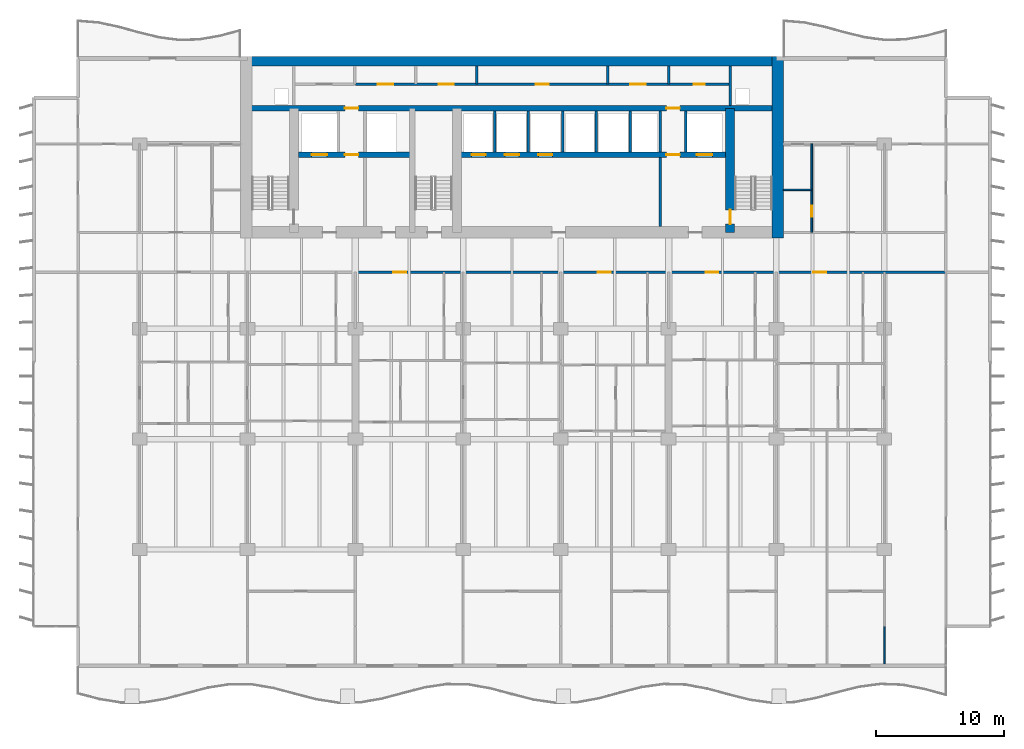
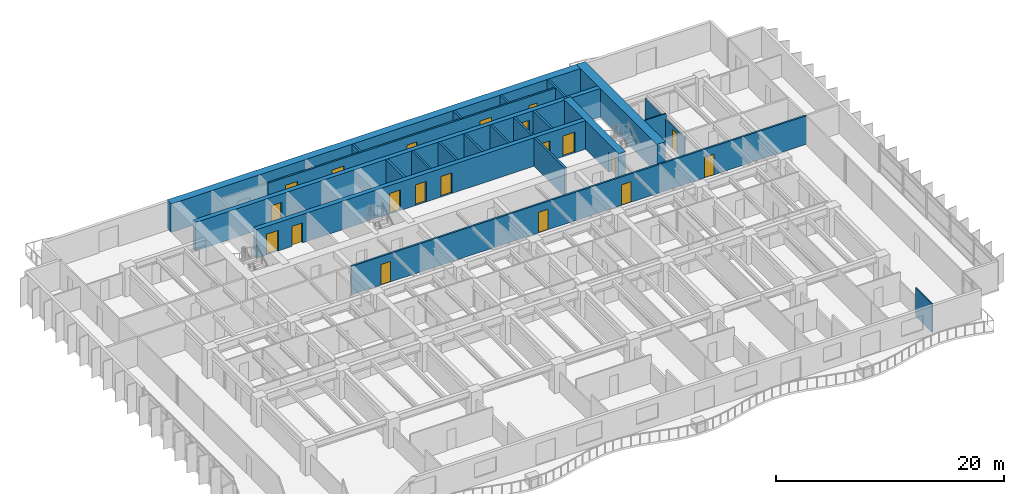
# One storey, part 11 of 17: 22 walls, 20 doors, 20 openings.
"""IFC4 building model written with IfcOpenShell, lengths in metres."""

from ifc_helpers import new_model, si_unit, direction, frame, frame_2d, origin, place, context, subcontext, project, spatial, rectangle, extrude, material, layer, layer_set, type_object, element, fill, save


model = new_model("IFC4")

# Units and contexts
model_context = context("Model", 3, precision=1e-05, world=origin(), true_north=direction((0.0, 1.0)))
body_context = subcontext(model_context, "Body", "Model", "MODEL_VIEW")
ifc_project = project(units=[si_unit("LENGTHUNIT", "METRE"), si_unit("AREAUNIT", "SQUARE_METRE"), si_unit("VOLUMEUNIT", "CUBIC_METRE"), si_unit("PLANEANGLEUNIT", "RADIAN"), si_unit("MASSUNIT", "GRAM", prefix="KILO")], contexts=[model_context])

# Site, building, storey
site_placement = place(None, origin())
site = spatial("IfcSite", under=ifc_project, at=site_placement, CompositionType="ELEMENT")
building_placement = place(site_placement, origin())
building = spatial("IfcBuilding", under=site, at=building_placement, Name="Caelmar Bay Residences", CompositionType="ELEMENT")
storey_placement = place(building_placement, frame((0.0, 0.0, 63.0)))
storey = spatial("IfcBuildingStorey", under=building, at=storey_placement, Name="L16", CompositionType="ELEMENT", Elevation=63.0)

# Wall, opening, door
ifc_material_1 = material(Name="Concrete f'c 55 MPa (8,000 psi)", Category="concrete")
ifc_layer_1 = layer(ifc_material_1, 0.699951171875)
ifc_layer_set_1 = layer_set([ifc_layer_1], Name="Concrete f'c 55 MPa (8,000 psi)")
wall_type_1 = type_object("IfcWallType", Name="SW-COR-700", PredefinedType="SHEAR", material=ifc_layer_set_1)
wall_1_placement = place(storey_placement, frame((55.89990234375, 36.89990234375, 0.0), z_axis=(0.0, 0.0, 1.0), x_axis=(0.0, 1.0, 0.0)))
wall_1 = element("IfcWall", 1, at=wall_1_placement, inside=storey, type_object=wall_type_1, Name="L16 Core Structural Web Wall ST2W", PredefinedType="SHEAR", context=body_context, shape_type="SweptSolid", body=[
    extrude(rectangle(XDim=9.675048828125, YDim=0.699951171875, at=frame_2d((4.83740234375, 0.0))), origin(), (0.0, 0.0, 1.0), 3.050048828125),
])
opening_1_placement = place(wall_1_placement, frame((0.64990234375, 0.0, 0.0)))
opening_1 = element("IfcOpeningElement", 2, at=opening_1_placement, cuts=wall_1, Name="Opening D-L16-111", PredefinedType="OPENING", context=body_context, shape_type="SweptSolid", body=[
    extrude(rectangle(XDim=1.10009765625, YDim=2.14990234375, at=frame_2d((0.550048828125, 1.074951171875))), frame((0.0, 0.35986328125, 0.0), z_axis=(0.0, -1.0, 0.0), x_axis=(1.0, 0.0, 0.0)), (0.0, 0.0, 1.0), 0.719970703125),
])
ifc_material_2 = material(Name="Fire-rated steel and walnut architectural door assembly", Category="steel")
ifc_layer_2 = layer(ifc_material_2, 0.050048828125)
ifc_layer_set_2 = layer_set([ifc_layer_2], Name="Fire-rated steel and walnut architectural door assembly")
door_type_1 = type_object("IfcDoorType", Name="D-STAIR-1100", OperationType="NOTDEFINED", PredefinedType="DOOR", material=ifc_layer_set_2)
door_1_placement = place(opening_1_placement, origin())
door_1 = element("IfcDoor", 3, at=door_1_placement, inside=storey, type_object=door_type_1, Name="L16 Firefighting Lobby East Door", OperationType="SINGLE_SWING_RIGHT", OverallHeight=2.14990234375, OverallWidth=1.10009765625, PredefinedType="DOOR", context=body_context, shape_type="SweptSolid", body=[
    extrude(rectangle(XDim=1.10009765625, YDim=2.14990234375, at=frame_2d((0.550048828125, 1.074951171875))), frame((0.0, 0.02490234375, 0.0), z_axis=(0.0, -1.0, 0.0), x_axis=(1.0, 0.0, 0.0)), (0.0, 0.0, 1.0), 0.050048828125),
])
fill(opening_1, door_1)

# Walls
ifc_material_3 = material(Name="Concrete f'c 70 MPa (10,000 psi)", Category="concrete")
ifc_layer_3 = layer(ifc_material_3, 0.89990234375)
ifc_layer_set_3 = layer_set([ifc_layer_3], Name="Concrete f'c 70 MPa (10,000 psi)")
wall_type_2 = type_object("IfcWallType", Name="SW-COR-900", PredefinedType="SHEAR", material=ifc_layer_set_3)
wall_2_placement = place(storey_placement, frame((59.60009765625, 36.449951171875, 0.0), z_axis=(0.0, 0.0, 1.0), x_axis=(0.0, 1.0, 0.0)))
element("IfcWall", 4, at=wall_2_placement, inside=storey, type_object=wall_type_2, Name="L16 Rear Core East Shear Wall", PredefinedType="SHEAR", context=body_context, shape_type="SweptSolid", body=[
    extrude(rectangle(XDim=14.150146484375, YDim=0.89990234375, at=frame_2d((7.0751953125, 0.0))), origin(), (0.0, 0.0, 1.0), 3.050048828125),
])
ifc_layer_4 = layer(ifc_material_3, 0.75)
ifc_layer_set_4 = layer_set([ifc_layer_4], Name="Concrete f'c 70 MPa (10,000 psi)")
wall_type_3 = type_object("IfcWallType", Name="SW-CORN-750", PredefinedType="SHEAR", material=ifc_layer_set_4)
wall_3_placement = place(storey_placement, frame((17.75, 50.22509765625, 0.0), z_axis=(0.0, 0.0, 1.0), x_axis=(1.0, 0.0, 0.0)))
element("IfcWall", 5, at=wall_3_placement, inside=storey, type_object=wall_type_3, Name="L16 Rear Core North Shear Wall", PredefinedType="SHEAR", context=body_context, shape_type="SweptSolid", body=[
    extrude(rectangle(XDim=42.300048828125, YDim=0.75, at=frame_2d((21.14990234375, 0.0))), origin(), (0.0, 0.0, 1.0), 3.050048828125),
])

# Wall, openings, doors
ifc_layer_5 = layer(ifc_material_3, 0.449951171875)
ifc_layer_set_5 = layer_set([ifc_layer_5], Name="Concrete f'c 70 MPa (10,000 psi)")
wall_type_4 = type_object("IfcWallType", Name="SW-WEB-450", PredefinedType="SHEAR", material=ifc_layer_set_5)
wall_4_placement = place(storey_placement, frame((22.25, 42.949951171875, 0.0), z_axis=(0.0, 0.0, 1.0), x_axis=(1.0, 0.0, 0.0)))
wall_4 = element("IfcWall", 6, at=wall_4_placement, inside=storey, type_object=wall_type_4, Name="L16 Core Structural Web Wall LFR", PredefinedType="SHEAR", context=body_context, shape_type="SweptSolid", body=[
    extrude(rectangle(XDim=33.300048828125, YDim=0.449951171875, at=frame_2d((16.64990234375, 0.0))), origin(), (0.0, 0.0, 1.0), 3.050048828125),
])
opening_2_placement = place(wall_4_placement, frame((1.050048828125, 0.0, 0.0)))
opening_2 = element("IfcOpeningElement", 7, at=opening_2_placement, cuts=wall_4, Name="Opening LD2", PredefinedType="OPENING", context=body_context, shape_type="SweptSolid", body=[
    extrude(rectangle(XDim=1.199951171875, YDim=2.199951171875, at=frame_2d((0.60009765625, 1.10009765625))), frame((0.0, 0.23486328125, 0.0), z_axis=(0.0, -1.0, 0.0), x_axis=(1.0, 0.0, 0.0)), (0.0, 0.0, 1.0), 0.469970703125),
])
opening_3_placement = place(wall_4_placement, frame((31.050048828125, 0.0, 0.0)))
opening_3 = element("IfcOpeningElement", 8, at=opening_3_placement, cuts=wall_4, Name="Opening LD2", PredefinedType="OPENING", context=body_context, shape_type="SweptSolid", body=[
    extrude(rectangle(XDim=1.199951171875, YDim=2.199951171875, at=frame_2d((0.60009765625, 1.10009765625))), frame((0.0, 0.23486328125, 0.0), z_axis=(0.0, -1.0, 0.0), x_axis=(1.0, 0.0, 0.0)), (0.0, 0.0, 1.0), 0.469970703125),
])
opening_4_placement = place(wall_4_placement, frame((13.5, 0.0, 0.0)))
opening_4 = element("IfcOpeningElement", 9, at=opening_4_placement, cuts=wall_4, Name="Opening LD1", PredefinedType="OPENING", context=body_context, shape_type="SweptSolid", body=[
    extrude(rectangle(XDim=1.10009765625, YDim=2.199951171875, at=frame_2d((0.550048828125, 1.10009765625))), frame((0.0, 0.23486328125, 0.0), z_axis=(0.0, -1.0, 0.0), x_axis=(1.0, 0.0, 0.0)), (0.0, 0.0, 1.0), 0.469970703125),
])
opening_5_placement = place(wall_4_placement, frame((16.10009765625, 0.0, 0.0)))
opening_5 = element("IfcOpeningElement", 10, at=opening_5_placement, cuts=wall_4, Name="Opening LD1", PredefinedType="OPENING", context=body_context, shape_type="SweptSolid", body=[
    extrude(rectangle(XDim=1.10009765625, YDim=2.199951171875, at=frame_2d((0.550048828125, 1.10009765625))), frame((0.0, 0.23486328125, 0.0), z_axis=(0.0, -1.0, 0.0), x_axis=(1.0, 0.0, 0.0)), (0.0, 0.0, 1.0), 0.469970703125),
])
opening_6_placement = place(wall_4_placement, frame((18.699951171875, 0.0, 0.0)))
opening_6 = element("IfcOpeningElement", 11, at=opening_6_placement, cuts=wall_4, Name="Opening LD1", PredefinedType="OPENING", context=body_context, shape_type="SweptSolid", body=[
    extrude(rectangle(XDim=1.10009765625, YDim=2.199951171875, at=frame_2d((0.550048828125, 1.10009765625))), frame((0.0, 0.23486328125, 0.0), z_axis=(0.0, -1.0, 0.0), x_axis=(1.0, 0.0, 0.0)), (0.0, 0.0, 1.0), 0.469970703125),
])
opening_7_placement = place(wall_4_placement, frame((3.625, 0.0, 0.0)))
opening_7 = element("IfcOpeningElement", 12, at=opening_7_placement, cuts=wall_4, Name="Opening D-L16-109", PredefinedType="OPENING", context=body_context, shape_type="SweptSolid", body=[
    extrude(rectangle(XDim=1.050048828125, YDim=2.14990234375, at=frame_2d((0.52490234375, 1.074951171875))), frame((0.0, 0.23486328125, 0.0), z_axis=(0.0, -1.0, 0.0), x_axis=(1.0, 0.0, 0.0)), (0.0, 0.0, 1.0), 0.469970703125),
])
opening_8_placement = place(wall_4_placement, frame((28.675048828125, 0.0, 0.0)))
opening_8 = element("IfcOpeningElement", 13, at=opening_8_placement, cuts=wall_4, Name="Opening D-L16-112", PredefinedType="OPENING", context=body_context, shape_type="SweptSolid", body=[
    extrude(rectangle(XDim=1.050048828125, YDim=2.14990234375, at=frame_2d((0.52490234375, 1.074951171875))), frame((0.0, 0.23486328125, 0.0), z_axis=(0.0, -1.0, 0.0), x_axis=(1.0, 0.0, 0.0)), (0.0, 0.0, 1.0), 0.469970703125),
])
ifc_layer_6 = layer(ifc_material_2, 0.050048828125)
ifc_layer_set_6 = layer_set([ifc_layer_6], Name="Fire-rated steel and walnut architectural door assembly")
door_type_2 = type_object("IfcDoorType", Name="D-FSAE-1050", OperationType="NOTDEFINED", PredefinedType="DOOR", material=ifc_layer_set_6)
door_2_placement = place(opening_7_placement, origin())
door_2 = element("IfcDoor", 14, at=door_2_placement, inside=storey, type_object=door_type_2, Name="L16 Firefighting Lobby West Door", OperationType="SINGLE_SWING_RIGHT", OverallHeight=2.14990234375, OverallWidth=1.050048828125, PredefinedType="DOOR", context=body_context, shape_type="SweptSolid", body=[
    extrude(rectangle(XDim=1.050048828125, YDim=2.14990234375, at=frame_2d((0.52490234375, 1.074951171875))), frame((0.0, 0.02490234375, 0.0), z_axis=(0.0, -1.0, 0.0), x_axis=(1.0, 0.0, 0.0)), (0.0, 0.0, 1.0), 0.050048828125),
])
fill(opening_7, door_2)
door_3_placement = place(opening_8_placement, origin())
door_3 = element("IfcDoor", 15, at=door_3_placement, inside=storey, type_object=door_type_2, Name="L16 Firefighting Lobby East Door", OperationType="SINGLE_SWING_LEFT", OverallHeight=2.14990234375, OverallWidth=1.050048828125, PredefinedType="DOOR", context=body_context, shape_type="SweptSolid", body=[
    extrude(rectangle(XDim=1.050048828125, YDim=2.14990234375, at=frame_2d((0.52490234375, 1.074951171875))), frame((0.0, 0.02490234375, 0.0), z_axis=(0.0, -1.0, 0.0), x_axis=(1.0, 0.0, 0.0)), (0.0, 0.0, 1.0), 0.050048828125),
])
fill(opening_8, door_3)
ifc_material_4 = material(Name="Brushed bronze stainless-steel fire-rated lift landing doors", Category="steel")
ifc_layer_7 = layer(ifc_material_4, 0.050048828125)
ifc_layer_set_7 = layer_set([ifc_layer_7], Name="Brushed bronze stainless-steel fire-rated lift landing doors")
door_type_3 = type_object("IfcDoorType", Name="D-LND-1100", OperationType="DOUBLE_DOOR_SLIDING", PredefinedType="DOOR", material=ifc_layer_set_7)
door_4_placement = place(opening_4_placement, origin())
door_4 = element("IfcDoor", 16, at=door_4_placement, inside=storey, type_object=door_type_3, Name="L16 LP1 Sliding Landing Door", OperationType="DOUBLE_DOOR_SLIDING", OverallHeight=2.199951171875, OverallWidth=1.10009765625, PredefinedType="DOOR", context=body_context, shape_type="SweptSolid", body=[
    extrude(rectangle(XDim=1.10009765625, YDim=2.199951171875, at=frame_2d((0.550048828125, 1.10009765625))), frame((0.0, 0.02490234375, 0.0), z_axis=(0.0, -1.0, 0.0), x_axis=(1.0, 0.0, 0.0)), (0.0, 0.0, 1.0), 0.050048828125),
])
fill(opening_4, door_4)
door_5_placement = place(opening_5_placement, origin())
door_5 = element("IfcDoor", 17, at=door_5_placement, inside=storey, type_object=door_type_3, Name="L16 LP2 Sliding Landing Door", OperationType="DOUBLE_DOOR_SLIDING", OverallHeight=2.199951171875, OverallWidth=1.10009765625, PredefinedType="DOOR", context=body_context, shape_type="SweptSolid", body=[
    extrude(rectangle(XDim=1.10009765625, YDim=2.199951171875, at=frame_2d((0.550048828125, 1.10009765625))), frame((0.0, 0.02490234375, 0.0), z_axis=(0.0, -1.0, 0.0), x_axis=(1.0, 0.0, 0.0)), (0.0, 0.0, 1.0), 0.050048828125),
])
fill(opening_5, door_5)
door_6_placement = place(opening_6_placement, origin())
door_6 = element("IfcDoor", 18, at=door_6_placement, inside=storey, type_object=door_type_3, Name="L16 LP3 Sliding Landing Door", OperationType="DOUBLE_DOOR_SLIDING", OverallHeight=2.199951171875, OverallWidth=1.10009765625, PredefinedType="DOOR", context=body_context, shape_type="SweptSolid", body=[
    extrude(rectangle(XDim=1.10009765625, YDim=2.199951171875, at=frame_2d((0.550048828125, 1.10009765625))), frame((0.0, 0.02490234375, 0.0), z_axis=(0.0, -1.0, 0.0), x_axis=(1.0, 0.0, 0.0)), (0.0, 0.0, 1.0), 0.050048828125),
])
fill(opening_6, door_6)
ifc_material_5 = material(Name="Brushed stainless-steel FSAE sliding landing door", Category="steel")
ifc_layer_8 = layer(ifc_material_5, 0.050048828125)
ifc_layer_set_8 = layer_set([ifc_layer_8], Name="Brushed stainless-steel FSAE sliding landing door")
door_type_4 = type_object("IfcDoorType", Name="D-LND-1200", OperationType="DOUBLE_DOOR_SLIDING", PredefinedType="DOOR", material=ifc_layer_set_8)
door_7_placement = place(opening_2_placement, origin())
door_7 = element("IfcDoor", 19, at=door_7_placement, inside=storey, type_object=door_type_4, Name="L16 LF1 Sliding Landing Door", OperationType="DOUBLE_DOOR_SLIDING", OverallHeight=2.199951171875, OverallWidth=1.199951171875, PredefinedType="DOOR", context=body_context, shape_type="SweptSolid", body=[
    extrude(rectangle(XDim=1.199951171875, YDim=2.199951171875, at=frame_2d((0.60009765625, 1.10009765625))), frame((0.0, 0.02490234375, 0.0), z_axis=(0.0, -1.0, 0.0), x_axis=(1.0, 0.0, 0.0)), (0.0, 0.0, 1.0), 0.050048828125),
])
fill(opening_2, door_7)
door_8_placement = place(opening_3_placement, origin())
door_8 = element("IfcDoor", 20, at=door_8_placement, inside=storey, type_object=door_type_4, Name="L16 LF2 Sliding Landing Door", OperationType="DOUBLE_DOOR_SLIDING", OverallHeight=2.199951171875, OverallWidth=1.199951171875, PredefinedType="DOOR", context=body_context, shape_type="SweptSolid", body=[
    extrude(rectangle(XDim=1.199951171875, YDim=2.199951171875, at=frame_2d((0.60009765625, 1.10009765625))), frame((0.0, 0.02490234375, 0.0), z_axis=(0.0, -1.0, 0.0), x_axis=(1.0, 0.0, 0.0)), (0.0, 0.0, 1.0), 0.050048828125),
])
fill(opening_3, door_8)

wall_5_placement = place(storey_placement, frame((18.199951171875, 46.574951171875, 0.0), z_axis=(0.0, 0.0, 1.0), x_axis=(1.0, 0.0, 0.0)))
wall_5 = element("IfcWall", 21, at=wall_5_placement, inside=storey, type_object=wall_type_4, Name="L16 Core Structural Web Wall SRVS", PredefinedType="SHEAR", context=body_context, shape_type="SweptSolid", body=[
    extrude(rectangle(XDim=41.400146484375, YDim=0.449951171875, at=frame_2d((20.7001953125, 0.0))), origin(), (0.0, 0.0, 1.0), 3.050048828125),
])
opening_9_placement = place(wall_5_placement, frame((7.675048828125, 0.0, 0.0)))
opening_9 = element("IfcOpeningElement", 22, at=opening_9_placement, cuts=wall_5, Name="Opening D-L16-115", PredefinedType="OPENING", context=body_context, shape_type="SweptSolid", body=[
    extrude(rectangle(XDim=1.050048828125, YDim=2.14990234375, at=frame_2d((0.52490234375, 1.074951171875))), frame((0.0, 0.23486328125, 0.0), z_axis=(0.0, -1.0, 0.0), x_axis=(1.0, 0.0, 0.0)), (0.0, 0.0, 1.0), 0.469970703125),
])
opening_10_placement = place(wall_5_placement, frame((32.72509765625, 0.0, 0.0)))
opening_10 = element("IfcOpeningElement", 23, at=opening_10_placement, cuts=wall_5, Name="Opening D-L16-116", PredefinedType="OPENING", context=body_context, shape_type="SweptSolid", body=[
    extrude(rectangle(XDim=1.050048828125, YDim=2.14990234375, at=frame_2d((0.52490234375, 1.074951171875))), frame((0.0, 0.23486328125, 0.0), z_axis=(0.0, -1.0, 0.0), x_axis=(1.0, 0.0, 0.0)), (0.0, 0.0, 1.0), 0.469970703125),
])
door_9_placement = place(opening_9_placement, origin())
door_9 = element("IfcDoor", 24, at=door_9_placement, inside=storey, type_object=door_type_2, Name="L16 Core Service Corridor Door", OperationType="SINGLE_SWING_RIGHT", OverallHeight=2.14990234375, OverallWidth=1.050048828125, PredefinedType="DOOR", context=body_context, shape_type="SweptSolid", body=[
    extrude(rectangle(XDim=1.050048828125, YDim=2.14990234375, at=frame_2d((0.52490234375, 1.074951171875))), frame((0.0, 0.02490234375, 0.0), z_axis=(0.0, -1.0, 0.0), x_axis=(1.0, 0.0, 0.0)), (0.0, 0.0, 1.0), 0.050048828125),
])
fill(opening_9, door_9)
door_10_placement = place(opening_10_placement, origin())
door_10 = element("IfcDoor", 25, at=door_10_placement, inside=storey, type_object=door_type_2, Name="L16 Core Service Corridor Door", OperationType="SINGLE_SWING_LEFT", OverallHeight=2.14990234375, OverallWidth=1.050048828125, PredefinedType="DOOR", context=body_context, shape_type="SweptSolid", body=[
    extrude(rectangle(XDim=1.050048828125, YDim=2.14990234375, at=frame_2d((0.52490234375, 1.074951171875))), frame((0.0, 0.02490234375, 0.0), z_axis=(0.0, -1.0, 0.0), x_axis=(1.0, 0.0, 0.0)), (0.0, 0.0, 1.0), 0.050048828125),
])
fill(opening_10, door_10)

# Walls
ifc_material_6 = material(Name="Double-stud acoustic fire-rated gypsum partition 180 mm")
ifc_layer_9 = layer(ifc_material_6, 0.179931640625)
ifc_layer_set_9 = layer_set([ifc_layer_9], Name="Double-stud acoustic fire-rated gypsum partition 180 mm")
wall_type_5 = type_object("IfcWallType", Name="W-COR-200", PredefinedType="PARTITIONING", material=ifc_layer_set_9)
for number, where, z_axis, x_axis, name in (
    (26, (36.14990234375, 48.449951171875, 0.0), (0.0, 0.0, 1.0), (0.0, 1.0, 0.0), "L16 Partition Wall V043"),
    (27, (46.35009765625, 48.449951171875, 0.0), (0.0, 0.0, 1.0), (0.0, 1.0, 0.0), "L16 Partition Wall V055"),
    (28, (51.10009765625, 48.449951171875, 0.0), (0.0, 0.0, 1.0), (0.0, 1.0, 0.0), "L16 Partition Wall V068"),
):
    element("IfcWall", number, at=place(storey_placement, frame(where, z_axis=z_axis, x_axis=x_axis)), inside=storey, type_object=wall_type_5, Name=name, PredefinedType="PARTITIONING", context=body_context, shape_type="SweptSolid", body=[
        extrude(rectangle(XDim=1.405029296875, YDim=0.179931640625, at=frame_2d((0.70263671875, 0.0))), origin(), (0.0, 0.0, 1.0), 3.050048828125),
    ])

# Wall, openings, doors
wall_6_placement = place(storey_placement, frame((26.699951171875, 33.800048828125, 0.0), z_axis=(0.0, 0.0, 1.0), x_axis=(1.0, 0.0, 0.0)))
wall_6 = element("IfcWall", 29, at=wall_6_placement, inside=storey, type_object=wall_type_5, Name="L16 Partition Wall H122", PredefinedType="PARTITIONING", context=body_context, shape_type="SweptSolid", body=[
    extrude(rectangle(XDim=46.0, YDim=0.179931640625, at=frame_2d((23.0, 0.0))), origin(), (0.0, 0.0, 1.0), 3.050048828125),
])
opening_11_placement = place(wall_6_placement, frame((2.949951171875, 0.0, 0.0)))
opening_11 = element("IfcOpeningElement", 30, at=opening_11_placement, cuts=wall_6, Name="Opening D-L16-134", PredefinedType="OPENING", context=body_context, shape_type="SweptSolid", body=[
    extrude(rectangle(XDim=1.0, YDim=2.199951171875, at=frame_2d((0.5, 1.10009765625))), frame((0.0, 0.099853515625, 0.0), z_axis=(0.0, -1.0, 0.0), x_axis=(1.0, 0.0, 0.0)), (0.0, 0.0, 1.0), 0.199951171875),
])
opening_12_placement = place(wall_6_placement, frame((18.875, 0.0, 0.0)))
opening_12 = element("IfcOpeningElement", 31, at=opening_12_placement, cuts=wall_6, Name="Opening D-L16-144", PredefinedType="OPENING", context=body_context, shape_type="SweptSolid", body=[
    extrude(rectangle(XDim=1.0, YDim=2.199951171875, at=frame_2d((0.5, 1.10009765625))), frame((0.0, 0.099853515625, 0.0), z_axis=(0.0, -1.0, 0.0), x_axis=(1.0, 0.0, 0.0)), (0.0, 0.0, 1.0), 0.199951171875),
])
opening_13_placement = place(wall_6_placement, frame((27.27490234375, 0.0, 0.0)))
opening_13 = element("IfcOpeningElement", 32, at=opening_13_placement, cuts=wall_6, Name="Opening D-L16-151", PredefinedType="OPENING", context=body_context, shape_type="SweptSolid", body=[
    extrude(rectangle(XDim=1.0, YDim=2.199951171875, at=frame_2d((0.5, 1.10009765625))), frame((0.0, 0.099853515625, 0.0), z_axis=(0.0, -1.0, 0.0), x_axis=(1.0, 0.0, 0.0)), (0.0, 0.0, 1.0), 0.199951171875),
])
opening_14_placement = place(wall_6_placement, frame((35.675048828125, 0.0, 0.0)))
opening_14 = element("IfcOpeningElement", 33, at=opening_14_placement, cuts=wall_6, Name="Opening D-L16-158", PredefinedType="OPENING", context=body_context, shape_type="SweptSolid", body=[
    extrude(rectangle(XDim=1.0, YDim=2.199951171875, at=frame_2d((0.5, 1.10009765625))), frame((0.0, 0.099853515625, 0.0), z_axis=(0.0, -1.0, 0.0), x_axis=(1.0, 0.0, 0.0)), (0.0, 0.0, 1.0), 0.199951171875),
])
ifc_layer_10 = layer(ifc_material_2, 0.050048828125)
ifc_layer_set_10 = layer_set([ifc_layer_10], Name="Fire-rated steel and walnut architectural door assembly")
door_type_5 = type_object("IfcDoorType", Name="D-UNIT-1000", OperationType="NOTDEFINED", PredefinedType="DOOR", material=ifc_layer_set_10)
door_11_placement = place(opening_11_placement, origin())
door_11 = element("IfcDoor", 34, at=door_11_placement, inside=storey, type_object=door_type_5, Name="L16 Residence 02 Apartment Hall Door", OperationType="SINGLE_SWING_LEFT", OverallHeight=2.199951171875, OverallWidth=1.0, PredefinedType="DOOR", context=body_context, shape_type="SweptSolid", body=[
    extrude(rectangle(XDim=1.0, YDim=2.199951171875, at=frame_2d((0.5, 1.10009765625))), frame((0.0, 0.02490234375, 0.0), z_axis=(0.0, -1.0, 0.0), x_axis=(1.0, 0.0, 0.0)), (0.0, 0.0, 1.0), 0.050048828125),
])
fill(opening_11, door_11)
door_12_placement = place(opening_12_placement, origin())
door_12 = element("IfcDoor", 35, at=door_12_placement, inside=storey, type_object=door_type_5, Name="L16 Residence 03 Apartment Hall Door", OperationType="SINGLE_SWING_LEFT", OverallHeight=2.199951171875, OverallWidth=1.0, PredefinedType="DOOR", context=body_context, shape_type="SweptSolid", body=[
    extrude(rectangle(XDim=1.0, YDim=2.199951171875, at=frame_2d((0.5, 1.10009765625))), frame((0.0, 0.02490234375, 0.0), z_axis=(0.0, -1.0, 0.0), x_axis=(1.0, 0.0, 0.0)), (0.0, 0.0, 1.0), 0.050048828125),
])
fill(opening_12, door_12)
door_13_placement = place(opening_13_placement, origin())
door_13 = element("IfcDoor", 36, at=door_13_placement, inside=storey, type_object=door_type_5, Name="L16 Residence 04 Apartment Hall Door", OperationType="SINGLE_SWING_RIGHT", OverallHeight=2.199951171875, OverallWidth=1.0, PredefinedType="DOOR", context=body_context, shape_type="SweptSolid", body=[
    extrude(rectangle(XDim=1.0, YDim=2.199951171875, at=frame_2d((0.5, 1.10009765625))), frame((0.0, 0.02490234375, 0.0), z_axis=(0.0, -1.0, 0.0), x_axis=(1.0, 0.0, 0.0)), (0.0, 0.0, 1.0), 0.050048828125),
])
fill(opening_13, door_13)
door_14_placement = place(opening_14_placement, origin())
door_14 = element("IfcDoor", 37, at=door_14_placement, inside=storey, type_object=door_type_5, Name="L16 Residence 05 Apartment Hall Door", OperationType="SINGLE_SWING_LEFT", OverallHeight=2.199951171875, OverallWidth=1.0, PredefinedType="DOOR", context=body_context, shape_type="SweptSolid", body=[
    extrude(rectangle(XDim=1.0, YDim=2.199951171875, at=frame_2d((0.5, 1.10009765625))), frame((0.0, 0.02490234375, 0.0), z_axis=(0.0, -1.0, 0.0), x_axis=(1.0, 0.0, 0.0)), (0.0, 0.0, 1.0), 0.050048828125),
])
fill(opening_14, door_14)

wall_7_placement = place(storey_placement, frame((26.699951171875, 48.449951171875, 0.0), z_axis=(0.0, 0.0, 1.0), x_axis=(1.0, 0.0, 0.0)))
wall_7 = element("IfcWall", 38, at=wall_7_placement, inside=storey, type_object=wall_type_5, Name="L16 Partition Wall H131", PredefinedType="PARTITIONING", context=body_context, shape_type="SweptSolid", body=[
    extrude(rectangle(XDim=29.199951171875, YDim=0.179931640625, at=frame_2d((14.60009765625, 0.0))), origin(), (0.0, 0.0, 1.0), 3.050048828125),
])
opening_15_placement = place(wall_7_placement, frame((1.75, 0.0, 0.0)))
opening_15 = element("IfcOpeningElement", 39, at=opening_15_placement, cuts=wall_7, Name="Opening D-L16-118", PredefinedType="OPENING", context=body_context, shape_type="SweptSolid", body=[
    extrude(rectangle(XDim=1.199951171875, YDim=2.199951171875, at=frame_2d((0.60009765625, 1.10009765625))), frame((0.0, 0.099853515625, 0.0), z_axis=(0.0, -1.0, 0.0), x_axis=(1.0, 0.0, 0.0)), (0.0, 0.0, 1.0), 0.199951171875),
])
opening_16_placement = place(wall_7_placement, frame((6.47509765625, 0.0, 0.0)))
opening_16 = element("IfcOpeningElement", 40, at=opening_16_placement, cuts=wall_7, Name="Opening D-L16-119", PredefinedType="OPENING", context=body_context, shape_type="SweptSolid", body=[
    extrude(rectangle(XDim=1.199951171875, YDim=2.199951171875, at=frame_2d((0.60009765625, 1.10009765625))), frame((0.0, 0.099853515625, 0.0), z_axis=(0.0, -1.0, 0.0), x_axis=(1.0, 0.0, 0.0)), (0.0, 0.0, 1.0), 0.199951171875),
])
opening_17_placement = place(wall_7_placement, frame((14.050048828125, 0.0, 0.0)))
opening_17 = element("IfcOpeningElement", 41, at=opening_17_placement, cuts=wall_7, Name="Opening D-L16-120", PredefinedType="OPENING", context=body_context, shape_type="SweptSolid", body=[
    extrude(rectangle(XDim=1.0, YDim=2.199951171875, at=frame_2d((0.5, 1.10009765625))), frame((0.0, 0.099853515625, 0.0), z_axis=(0.0, -1.0, 0.0), x_axis=(1.0, 0.0, 0.0)), (0.0, 0.0, 1.0), 0.199951171875),
])
opening_18_placement = place(wall_7_placement, frame((21.425048828125, 0.0, 0.0)))
opening_18 = element("IfcOpeningElement", 42, at=opening_18_placement, cuts=wall_7, Name="Opening D-L16-121", PredefinedType="OPENING", context=body_context, shape_type="SweptSolid", body=[
    extrude(rectangle(XDim=1.199951171875, YDim=2.199951171875, at=frame_2d((0.60009765625, 1.10009765625))), frame((0.0, 0.099853515625, 0.0), z_axis=(0.0, -1.0, 0.0), x_axis=(1.0, 0.0, 0.0)), (0.0, 0.0, 1.0), 0.199951171875),
])
opening_19_placement = place(wall_7_placement, frame((26.375, 0.0, 0.0)))
opening_19 = element("IfcOpeningElement", 43, at=opening_19_placement, cuts=wall_7, Name="Opening D-L16-122", PredefinedType="OPENING", context=body_context, shape_type="SweptSolid", body=[
    extrude(rectangle(XDim=0.85009765625, YDim=2.10009765625, at=frame_2d((0.425048828125, 1.050048828125))), frame((0.0, 0.099853515625, 0.0), z_axis=(0.0, -1.0, 0.0), x_axis=(1.0, 0.0, 0.0)), (0.0, 0.0, 1.0), 0.199951171875),
])
ifc_layer_11 = layer(ifc_material_2, 0.050048828125)
ifc_layer_set_11 = layer_set([ifc_layer_11], Name="Fire-rated steel and walnut architectural door assembly")
door_type_6 = type_object("IfcDoorType", Name="D-CORE-850", OperationType="NOTDEFINED", PredefinedType="DOOR", material=ifc_layer_set_11)
door_15_placement = place(opening_19_placement, origin())
door_15 = element("IfcDoor", 44, at=door_15_placement, inside=storey, type_object=door_type_6, Name="L16 Staff Restroom Door", OperationType="SINGLE_SWING_LEFT", OverallHeight=2.10009765625, OverallWidth=0.85009765625, PredefinedType="DOOR", context=body_context, shape_type="SweptSolid", body=[
    extrude(rectangle(XDim=0.85009765625, YDim=2.10009765625, at=frame_2d((0.425048828125, 1.050048828125))), frame((0.0, 0.02490234375, 0.0), z_axis=(0.0, -1.0, 0.0), x_axis=(1.0, 0.0, 0.0)), (0.0, 0.0, 1.0), 0.050048828125),
])
fill(opening_19, door_15)
ifc_layer_12 = layer(ifc_material_2, 0.050048828125)
ifc_layer_set_12 = layer_set([ifc_layer_12], Name="Fire-rated steel and walnut architectural door assembly")
door_type_7 = type_object("IfcDoorType", Name="D-PLANT-1200", OperationType="NOTDEFINED", PredefinedType="DOOR", material=ifc_layer_set_12)
door_16_placement = place(opening_15_placement, origin())
door_16 = element("IfcDoor", 45, at=door_16_placement, inside=storey, type_object=door_type_7, Name="L16 Water Meter Closet Door", OperationType="SINGLE_SWING_LEFT", OverallHeight=2.199951171875, OverallWidth=1.199951171875, PredefinedType="DOOR", context=body_context, shape_type="SweptSolid", body=[
    extrude(rectangle(XDim=1.199951171875, YDim=2.199951171875, at=frame_2d((0.60009765625, 1.10009765625))), frame((0.0, 0.02490234375, 0.0), z_axis=(0.0, -1.0, 0.0), x_axis=(1.0, 0.0, 0.0)), (0.0, 0.0, 1.0), 0.050048828125),
])
fill(opening_15, door_16)
door_17_placement = place(opening_16_placement, origin())
door_17 = element("IfcDoor", 46, at=door_17_placement, inside=storey, type_object=door_type_7, Name="L16 Low-Voltage Data Closet Door", OperationType="SINGLE_SWING_RIGHT", OverallHeight=2.199951171875, OverallWidth=1.199951171875, PredefinedType="DOOR", context=body_context, shape_type="SweptSolid", body=[
    extrude(rectangle(XDim=1.199951171875, YDim=2.199951171875, at=frame_2d((0.60009765625, 1.10009765625))), frame((0.0, 0.02490234375, 0.0), z_axis=(0.0, -1.0, 0.0), x_axis=(1.0, 0.0, 0.0)), (0.0, 0.0, 1.0), 0.050048828125),
])
fill(opening_16, door_17)
door_18_placement = place(opening_18_placement, origin())
door_18 = element("IfcDoor", 47, at=door_18_placement, inside=storey, type_object=door_type_7, Name="L16 Valet Trunk Closet Door", OperationType="SINGLE_SWING_RIGHT", OverallHeight=2.199951171875, OverallWidth=1.199951171875, PredefinedType="DOOR", context=body_context, shape_type="SweptSolid", body=[
    extrude(rectangle(XDim=1.199951171875, YDim=2.199951171875, at=frame_2d((0.60009765625, 1.10009765625))), frame((0.0, 0.02490234375, 0.0), z_axis=(0.0, -1.0, 0.0), x_axis=(1.0, 0.0, 0.0)), (0.0, 0.0, 1.0), 0.050048828125),
])
fill(opening_18, door_18)
door_19_placement = place(opening_17_placement, origin())
door_19 = element("IfcDoor", 48, at=door_19_placement, inside=storey, type_object=door_type_5, Name="L16 Mail Sorting Office Door", OperationType="SINGLE_SWING_LEFT", OverallHeight=2.199951171875, OverallWidth=1.0, PredefinedType="DOOR", context=body_context, shape_type="SweptSolid", body=[
    extrude(rectangle(XDim=1.0, YDim=2.199951171875, at=frame_2d((0.5, 1.10009765625))), frame((0.0, 0.02490234375, 0.0), z_axis=(0.0, -1.0, 0.0), x_axis=(1.0, 0.0, 0.0)), (0.0, 0.0, 1.0), 0.050048828125),
])
fill(opening_17, door_19)

# Walls
ifc_material_7 = material(Name="Fire-rated masonry and gypsum shaftliner assembly 200 mm", Category="masonry")
ifc_layer_13 = layer(ifc_material_7, 0.199951171875)
ifc_layer_set_13 = layer_set([ifc_layer_13], Name="Fire-rated masonry and gypsum shaftliner assembly 200 mm")
wall_type_6 = type_object("IfcWallType", Name="W-FSAE-200", PredefinedType="PARTITIONING", material=ifc_layer_set_13)
for number, where, z_axis, x_axis, name in (
    (49, (37.550048828125, 43.169921875, 0.0), (0.0, 0.0, 1.0), (0.0, 1.0, 0.0), "L16 Partition Wall V044"),
    (50, (40.14990234375, 43.169921875, 0.0), (0.0, 0.0, 1.0), (0.0, 1.0, 0.0), "L16 Partition Wall V045"),
    (51, (42.85009765625, 43.169921875, 0.0), (0.0, 0.0, 1.0), (0.0, 1.0, 0.0), "L16 Partition Wall V053"),
    (52, (45.449951171875, 43.169921875, 0.0), (0.0, 0.0, 1.0), (0.0, 1.0, 0.0), "L16 Partition Wall V054"),
    (53, (48.10009765625, 43.169921875, 0.0), (0.0, 0.0, 1.0), (0.0, 1.0, 0.0), "L16 Partition Wall V060"),
):
    element("IfcWall", number, at=place(storey_placement, frame(where, z_axis=z_axis, x_axis=x_axis)), inside=storey, type_object=wall_type_6, Name=name, PredefinedType="PARTITIONING", context=body_context, shape_type="SweptSolid", body=[
        extrude(rectangle(XDim=3.18505859375, YDim=0.199951171875, at=frame_2d((1.592529296875, 0.0))), origin(), (0.0, 0.0, 1.0), 3.050048828125),
    ])
wall_8_placement = place(storey_placement, frame((50.449951171875, 37.344970703125, 0.0), z_axis=(0.0, 0.0, 1.0), x_axis=(0.0, 1.0, 0.0)))
element("IfcWall", 54, at=wall_8_placement, inside=storey, type_object=wall_type_6, Name="L16 Partition Wall V063", PredefinedType="PARTITIONING", context=body_context, shape_type="SweptSolid", body=[
    extrude(rectangle(XDim=5.385009765625, YDim=0.199951171875, at=frame_2d((2.6923828125, 0.0))), origin(), (0.0, 0.0, 1.0), 3.050048828125),
])
for number, where, z_axis, x_axis, name in (
    (55, (50.449951171875, 43.169921875, 0.0), (0.0, 0.0, 1.0), (0.0, 1.0, 0.0), "L16 Partition Wall V064"),
    (56, (52.449951171875, 43.169921875, 0.0), (0.0, 0.0, 1.0), (0.0, 1.0, 0.0), "L16 Partition Wall V069"),
):
    element("IfcWall", number, at=place(storey_placement, frame(where, z_axis=z_axis, x_axis=x_axis)), inside=storey, type_object=wall_type_6, Name=name, PredefinedType="PARTITIONING", context=body_context, shape_type="SweptSolid", body=[
        extrude(rectangle(XDim=3.18505859375, YDim=0.199951171875, at=frame_2d((1.592529296875, 0.0))), origin(), (0.0, 0.0, 1.0), 3.050048828125),
    ])
wall_9_placement = place(storey_placement, frame((55.89990234375, 46.794921875, 0.0), z_axis=(0.0, 0.0, 1.0), x_axis=(0.0, 1.0, 0.0)))
element("IfcWall", 57, at=wall_9_placement, inside=storey, type_object=wall_type_6, Name="L16 Partition Wall V075", PredefinedType="PARTITIONING", context=body_context, shape_type="SweptSolid", body=[
    extrude(rectangle(XDim=3.06005859375, YDim=0.199951171875, at=frame_2d((1.530029296875, 0.0))), origin(), (0.0, 0.0, 1.0), 3.050048828125),
])

# Wall, opening, door
ifc_material_8 = material(Name="Acoustic metal-stud gypsum partition 120 mm")
ifc_layer_14 = layer(ifc_material_8, 0.1201171875)
ifc_layer_set_14 = layer_set([ifc_layer_14], Name="Acoustic metal-stud gypsum partition 120 mm")
wall_type_7 = type_object("IfcWallType", Name="W-PRT-120", PredefinedType="PARTITIONING", material=ifc_layer_set_14)
wall_10_placement = place(storey_placement, frame((62.25, 36.89990234375, 0.0), z_axis=(0.0, 0.0, 1.0), x_axis=(0.0, 1.0, 0.0)))
wall_10 = element("IfcWall", 58, at=wall_10_placement, inside=storey, type_object=wall_type_7, Name="L16 Partition Wall V082", PredefinedType="PARTITIONING", context=body_context, shape_type="SweptSolid", body=[
    extrude(rectangle(XDim=6.900146484375, YDim=0.1201171875, at=frame_2d((3.4501953125, 0.0))), origin(), (0.0, 0.0, 1.0), 2.486083984375),
])
opening_20_placement = place(wall_10_placement, frame((1.23095703125, 0.0, 0.0)))
opening_20 = element("IfcOpeningElement", 59, at=opening_20_placement, cuts=wall_10, Name="Opening D-L16-178", PredefinedType="OPENING", context=body_context, shape_type="SweptSolid", body=[
    extrude(rectangle(XDim=0.85009765625, YDim=2.10009765625, at=frame_2d((0.425048828125, 1.050048828125))), frame((0.0, 0.070068359375, 0.0), z_axis=(0.0, -1.0, 0.0), x_axis=(1.0, 0.0, 0.0)), (0.0, 0.0, 1.0), 0.14013671875),
])
ifc_material_9 = material(Name="Solid walnut timber interior door leaf and frame", Category="wood")
ifc_layer_15 = layer(ifc_material_9, 0.050048828125)
ifc_layer_set_15 = layer_set([ifc_layer_15], Name="Solid walnut timber interior door leaf and frame")
door_type_8 = type_object("IfcDoorType", Name="D-BATH-850", OperationType="NOTDEFINED", PredefinedType="DOOR", material=ifc_layer_set_15)
door_20_placement = place(opening_20_placement, origin())
door_20 = element("IfcDoor", 60, at=door_20_placement, inside=storey, type_object=door_type_8, Name="L16 Residence EA Walk-In Closet Door", OperationType="SINGLE_SWING_LEFT", OverallHeight=2.10009765625, OverallWidth=0.85009765625, PredefinedType="DOOR", context=body_context, shape_type="SweptSolid", body=[
    extrude(rectangle(XDim=0.85009765625, YDim=2.10009765625, at=frame_2d((0.425048828125, 1.050048828125))), frame((0.0, 0.02490234375, 0.0), z_axis=(0.0, -1.0, 0.0), x_axis=(1.0, 0.0, 0.0)), (0.0, 0.0, 1.0), 0.050048828125),
])
fill(opening_20, door_20)

# Walls
wall_11_placement = place(storey_placement, frame((67.89990234375, 3.294921875, 0.0), z_axis=(0.0, 0.0, 1.0), x_axis=(0.0, 1.0, 0.0)))
element("IfcWall", 61, at=wall_11_placement, inside=storey, type_object=wall_type_7, Name="L16 Partition Wall V089", PredefinedType="PARTITIONING", context=body_context, shape_type="SweptSolid", body=[
    extrude(rectangle(XDim=2.905029296875, YDim=0.1201171875, at=frame_2d((1.45263671875, 0.0))), origin(), (0.0, 0.0, 1.0), 3.050048828125),
])
wall_12_placement = place(storey_placement, frame((60.044921875, 40.2119140625, 0.0), z_axis=(0.0, 0.0, 1.0), x_axis=(1.0, 0.0, 0.0)))
element("IfcWall", 62, at=wall_12_placement, inside=storey, type_object=wall_type_7, Name="L16 Partition Wall H127", PredefinedType="PARTITIONING", context=body_context, shape_type="SweptSolid", body=[
    extrude(rectangle(XDim=2.205078125, YDim=0.1201171875, at=frame_2d((1.1025390625, 0.0))), origin(), (0.0, 0.0, 1.0), 3.050048828125),
])

save(model, "model.ifc")
